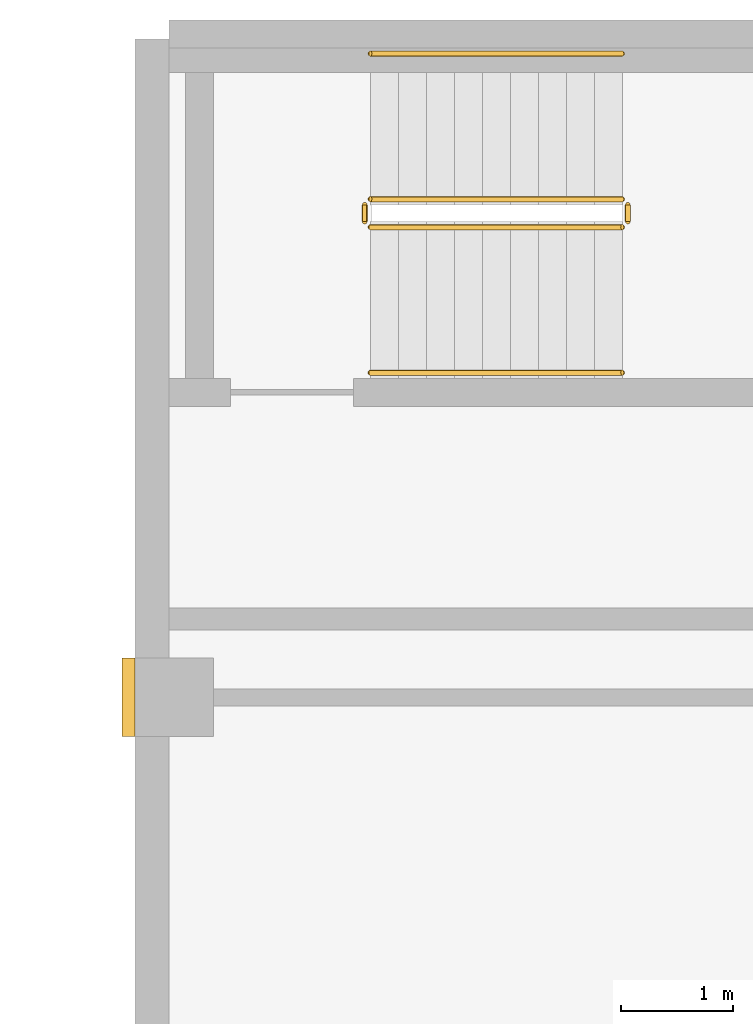
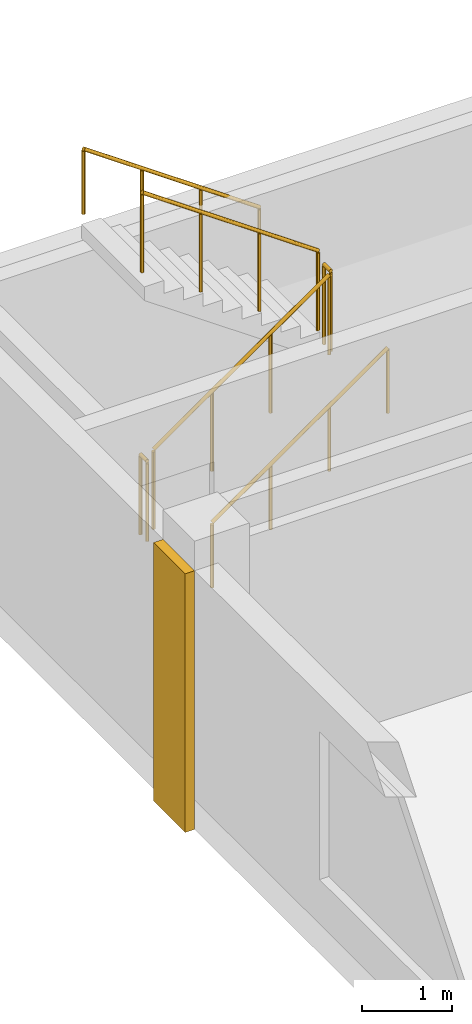
# One storey, part 8 of 8: 6 railings, 1 covering.
"""IFC4 building model written with IfcOpenShell, lengths in metres."""

from ifc_helpers import new_model, si_unit, direction, frame, origin, origin_2d, place, context, subcontext, project, spatial, rectangle, circle, extrude, source, transform, mapped, material, type_object, element, save


model = new_model("IFC4")

# Units and contexts
model_context = context("Model", 3, precision=1e-05, world=origin(), true_north=direction((0.0, 1.0)))
body_context = subcontext(model_context, "Body", "Model", "MODEL_VIEW")
ifc_project = project(units=[si_unit("LENGTHUNIT", "METRE"), si_unit("AREAUNIT", "SQUARE_METRE"), si_unit("VOLUMEUNIT", "CUBIC_METRE"), si_unit("PLANEANGLEUNIT", "RADIAN"), si_unit("MASSUNIT", "GRAM", prefix="KILO")], contexts=[model_context])

# Site, building, storey
site_placement = place(None, origin())
site = spatial("IfcSite", under=ifc_project, at=site_placement, CompositionType="ELEMENT")
building_placement = place(site_placement, origin())
building = spatial("IfcBuilding", under=site, at=building_placement, Name="Aurelian Terraces", CompositionType="ELEMENT")
storey_placement = place(building_placement, frame((0.0, 0.0, 302.0)))
storey = spatial("IfcBuildingStorey", under=building, at=storey_placement, Name="L69", CompositionType="ELEMENT", Elevation=302.0)

# Covering
ifc_material_1 = material(Name="Terracotta rainscreen cladding relief", Category="masonry")
covering_type = type_object("IfcCoveringType", Name="BAGUETTE-TC", PredefinedType="CLADDING", material=ifc_material_1)
shared_shape_1 = source(origin(), body_context, "Body", "SweptSolid", [
    extrude(rectangle(XDim=0.12, YDim=0.7, at=origin_2d()), origin(), (0.0, 0.0, 1.0), 3.5),
])
covering_placement = place(storey_placement, frame((10.44, 37.8, -0.4), z_axis=(0.0, 0.0, 1.0), x_axis=(1.0, 0.0, 0.0)))
element("IfcCovering", 1, at=covering_placement, inside=storey, type_object=covering_type, Name="BAGUETTE pier L69 6", PredefinedType="CLADDING", context=body_context, shape_type="MappedRepresentation", body=[
    mapped(shared_shape_1, transform((0.0, 0.0, 0.0), scale=1.0)),
])

# Railings
ifc_material_2 = material(Name="Stainless steel", Category="steel")
railing_type_1 = type_object("IfcRailingType", Name="Stair guard 1100", PredefinedType="GUARDRAIL", material=ifc_material_2)
shared_shape_2 = source(origin(), body_context, "Body", "SweptSolid", [
    extrude(circle(Radius=0.024, at=origin_2d()), frame((0.0, 0.0, 1.076), z_axis=(0.0, 1.0, 0.0), x_axis=(-1.0, 0.0, 0.0)), (0.0, 0.0, 1.0), 0.15),
    extrude(circle(Radius=0.021, at=origin_2d()), origin(), (0.0, 0.0, 1.0), 1.052),
    extrude(circle(Radius=0.021, at=origin_2d()), frame((0.0, 0.15, 0.0)), (0.0, 0.0, 1.0), 1.052),
])
for number, where, name in (
    (2, (14.9, 42.05, 1.75), "L69 S3U stair guard 2"),
    (3, (12.55, 42.05, 0.0), "L69 S3U stair guard 4"),
):
    element("IfcRailing", number, at=place(storey_placement, frame(where)), inside=storey, type_object=railing_type_1, Name=name, PredefinedType="GUARDRAIL", context=body_context, shape_type="MappedRepresentation", body=[
        mapped(shared_shape_2, transform((0.0, 0.0, 0.0), scale=1.0)),
    ])
shared_shape_3 = source(origin(), body_context, "Body", "SweptSolid", [
    extrude(circle(Radius=0.024, at=origin_2d()), frame((0.0, 0.0, 1.076), z_axis=(0.819231920519, 0.0, 0.573462344363), x_axis=(0.0, 1.0, 0.0)), (0.0, 0.0, 1.0), 2.7465),
    extrude(circle(Radius=0.021, at=origin_2d()), origin(), (0.0, 0.0, 1.0), 1.052),
    extrude(circle(Radius=0.021, at=origin_2d()), frame((0.75, 0.0, 0.525)), (0.0, 0.0, 1.0), 1.052),
    extrude(circle(Radius=0.021, at=origin_2d()), frame((1.5, 0.0, 1.05)), (0.0, 0.0, 1.0), 1.052),
    extrude(circle(Radius=0.021, at=origin_2d()), frame((2.25, 0.0, 1.575)), (0.0, 0.0, 1.0), 1.052),
])
railing_1_placement = place(storey_placement, frame((12.6, 42.0, 0.175)))
element("IfcRailing", 4, at=railing_1_placement, inside=storey, type_object=railing_type_1, Name="L69 S3U stair guard 1", PredefinedType="GUARDRAIL", context=body_context, shape_type="MappedRepresentation", body=[
    mapped(shared_shape_3, transform((0.0, 0.0, 0.0), scale=1.0)),
])
shared_shape_4 = source(origin(), body_context, "Body", "SweptSolid", [
    extrude(circle(Radius=0.024, at=origin_2d()), frame((0.0, 0.0, 1.076), z_axis=(-0.819231920519, 0.0, 0.573462344363), x_axis=(0.0, -1.0, 0.0)), (0.0, 0.0, 1.0), 2.7465),
    extrude(circle(Radius=0.021, at=origin_2d()), origin(), (0.0, 0.0, 1.0), 1.052),
    extrude(circle(Radius=0.021, at=origin_2d()), frame((-0.75, 0.0, 0.525)), (0.0, 0.0, 1.0), 1.052),
    extrude(circle(Radius=0.021, at=origin_2d()), frame((-1.5, 0.0, 1.05)), (0.0, 0.0, 1.0), 1.052),
    extrude(circle(Radius=0.021, at=origin_2d()), frame((-2.25, 0.0, 1.575)), (0.0, 0.0, 1.0), 1.052),
])
railing_2_placement = place(storey_placement, frame((14.85, 42.25, 1.925)))
element("IfcRailing", 5, at=railing_2_placement, inside=storey, type_object=railing_type_1, Name="L69 S3U stair guard 3", PredefinedType="GUARDRAIL", context=body_context, shape_type="MappedRepresentation", body=[
    mapped(shared_shape_4, transform((0.0, 0.0, 0.0), scale=1.0)),
])
railing_type_2 = type_object("IfcRailingType", Name="Stair handrail", PredefinedType="HANDRAIL", material=ifc_material_2)
shared_shape_5 = source(origin(), body_context, "Body", "SweptSolid", [
    extrude(circle(Radius=0.024, at=origin_2d()), frame((0.0, 0.0, 0.876), z_axis=(0.819231920519, 0.0, 0.573462344363), x_axis=(0.0, 1.0, 0.0)), (0.0, 0.0, 1.0), 2.7465),
    extrude(circle(Radius=0.021, at=origin_2d()), origin(), (0.0, 0.0, 1.0), 0.852),
    extrude(circle(Radius=0.021, at=origin_2d()), frame((0.75, 0.0, 0.525)), (0.0, 0.0, 1.0), 0.852),
    extrude(circle(Radius=0.021, at=origin_2d()), frame((1.5, 0.0, 1.05)), (0.0, 0.0, 1.0), 0.852),
    extrude(circle(Radius=0.021, at=origin_2d()), frame((2.25, 0.0, 1.575)), (0.0, 0.0, 1.0), 0.852),
])
railing_3_placement = place(storey_placement, frame((12.6, 40.7, 0.175)))
element("IfcRailing", 6, at=railing_3_placement, inside=storey, type_object=railing_type_2, Name="L69 S3U stair handrail 1", PredefinedType="HANDRAIL", context=body_context, shape_type="MappedRepresentation", body=[
    mapped(shared_shape_5, transform((0.0, 0.0, 0.0), scale=1.0)),
])
shared_shape_6 = source(origin(), body_context, "Body", "SweptSolid", [
    extrude(circle(Radius=0.024, at=origin_2d()), frame((0.0, 0.0, 0.876), z_axis=(-0.819231920519, 0.0, 0.573462344363), x_axis=(0.0, -1.0, 0.0)), (0.0, 0.0, 1.0), 2.7465),
    extrude(circle(Radius=0.021, at=origin_2d()), origin(), (0.0, 0.0, 1.0), 0.852),
    extrude(circle(Radius=0.021, at=origin_2d()), frame((-0.75, 0.0, 0.525)), (0.0, 0.0, 1.0), 0.852),
    extrude(circle(Radius=0.021, at=origin_2d()), frame((-1.5, 0.0, 1.05)), (0.0, 0.0, 1.0), 0.852),
    extrude(circle(Radius=0.021, at=origin_2d()), frame((-2.25, 0.0, 1.575)), (0.0, 0.0, 1.0), 0.852),
])
railing_4_placement = place(storey_placement, frame((14.85, 43.55, 1.925)))
element("IfcRailing", 7, at=railing_4_placement, inside=storey, type_object=railing_type_2, Name="L69 S3U stair handrail 2", PredefinedType="HANDRAIL", context=body_context, shape_type="MappedRepresentation", body=[
    mapped(shared_shape_6, transform((0.0, 0.0, 0.0), scale=1.0)),
])

save(model, "model.ifc")
